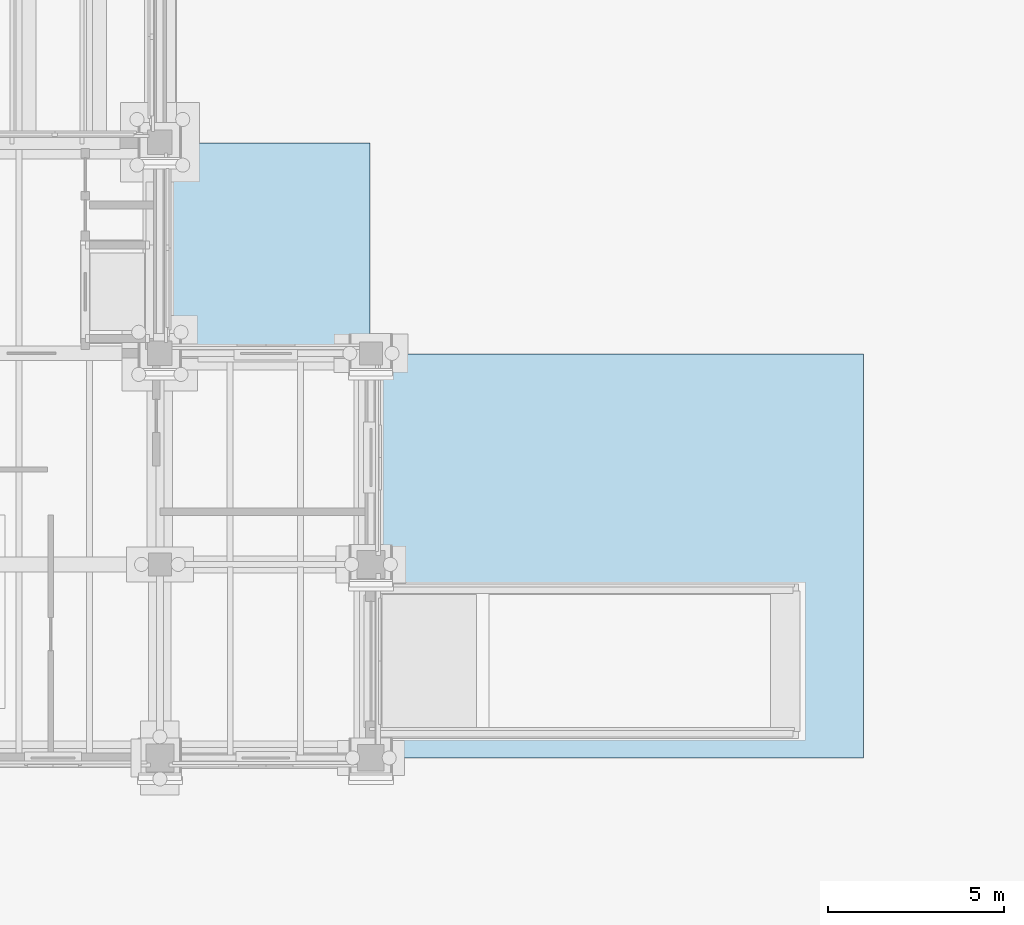
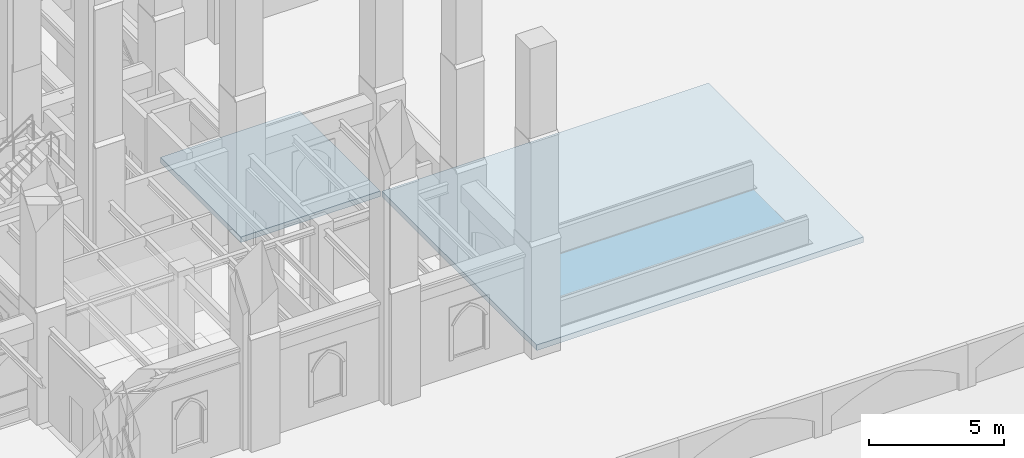
# One storey, part 56 of 135: 2 slabs.
"""IFC4 building model written with IfcOpenShell, lengths in metres."""

import ifcopenshell
import ifcopenshell.guid

model = None  # the IFC model being written
_history = None  # IfcOwnerHistory: only IFC2X3 demands one
_inside = {}  # id of a spatial element -> (the spatial element, [elements in it])
_under = {}  # id of a project, library or spatial element -> (it, [spatial elements below it])
_declared = {}  # id of a project -> (the project, [libraries it declares])
_typed = {}  # id of a type object -> (the type object, [elements of that type])
_made_of = {}  # id of a material, layer set ... -> (it, [elements and type objects made of it])


def new_model(schema):
    """Start an empty IFC model of exactly this schema.

    Asked for "IFC4X3", IfcOpenShell would pick the latest addendum, in which some entities
    have other attributes; the version numbers below select the first issue.
    IFC2X3 requires an IfcOwnerHistory on every rooted entity: one is made here for all.
    """
    global model, _history
    if schema == "IFC4X3":
        model = ifcopenshell.file(schema_version=(4, 3, 0, 0))
    else:
        model = ifcopenshell.file(schema=schema)
    _inside.clear()
    _under.clear()
    _declared.clear()
    _typed.clear()
    _made_of.clear()
    _history = None
    if model.schema == "IFC2X3":
        org = make("IfcOrganization", Name="unknown")
        user = make(
            "IfcPersonAndOrganization",
            ThePerson=make("IfcPerson", FamilyName="unknown"),
            TheOrganization=org,
        )
        app = make(
            "IfcApplication",
            ApplicationDeveloper=org,
            Version="unknown",
            ApplicationFullName="unknown",
            ApplicationIdentifier="unknown",
        )
        _history = make(
            "IfcOwnerHistory",
            OwningUser=user,
            OwningApplication=app,
            ChangeAction="ADDED",
            CreationDate=0,
        )
    return model


def make(cls, **values):
    """One entity of the class cls with the attributes given. An attribute that is None is left unset."""
    return model.create_entity(
        cls, **{name: value for name, value in values.items() if value is not None}
    )


def rooted(cls, **values):
    """An entity with a GlobalId (a new one), such as an element, a storey or a relation."""
    return make(cls, GlobalId=ifcopenshell.guid.new(), OwnerHistory=_history, **values)


def si_unit(unit_type, name, prefix=None):
    """IfcSIUnit, for example si_unit("LENGTHUNIT", "METRE", prefix="MILLI")."""
    return make("IfcSIUnit", UnitType=unit_type, Prefix=prefix, Name=name)


def assignment(units):
    """IfcUnitAssignment: the units of a project."""
    return None if units is None else make("IfcUnitAssignment", Units=units)


def point(xyz):
    """IfcCartesianPoint."""
    return None if xyz is None else make("IfcCartesianPoint", Coordinates=xyz)


def direction(xyz):
    """IfcDirection."""
    return None if xyz is None else make("IfcDirection", DirectionRatios=xyz)


def frame(location, z_axis=None, x_axis=None):
    """IfcAxis2Placement3D, a coordinate frame: its origin and axes. An axis left out is left unset."""
    return make(
        "IfcAxis2Placement3D",
        Location=point(location),
        Axis=direction(z_axis),
        RefDirection=direction(x_axis),
    )


def origin():
    """The frame at (0, 0, 0) with its axes left unset."""
    return frame((0.0, 0.0, 0.0))


def place(relative_to, where):
    """IfcLocalPlacement: puts the frame where relative to a parent placement (None: the world)."""
    return make(
        "IfcLocalPlacement", PlacementRelTo=relative_to, RelativePlacement=where
    )


def context(
    kind, dimensions, precision=None, world=None, true_north=None, identifier=None
):
    """IfcGeometricRepresentationContext, for example the 3D "Model" context."""
    return make(
        "IfcGeometricRepresentationContext",
        ContextIdentifier=identifier,
        ContextType=kind,
        CoordinateSpaceDimension=dimensions,
        Precision=precision,
        WorldCoordinateSystem=world,
        TrueNorth=true_north,
    )


def subcontext(parent, identifier, kind, view, scale=None):
    """IfcGeometricRepresentationSubContext, for example "Body" below "Model"."""
    return make(
        "IfcGeometricRepresentationSubContext",
        ContextIdentifier=identifier,
        ContextType=kind,
        ParentContext=parent,
        TargetScale=scale,
        TargetView=view,
    )


def project(units=None, contexts=None):
    """IfcProject with its units and contexts."""
    return rooted(
        "IfcProject",
        Name="project",
        RepresentationContexts=contexts,
        UnitsInContext=assignment(units),
    )


def spatial(cls, under=None, at=None, **own):
    """A site, building, storey or space (cls), placed at a placement, below another one or the project."""
    s = rooted(cls, ObjectPlacement=at, **own)
    if under is not None:
        _under.setdefault(under.id(), (under, []))[1].append(s)
    return s


def polyline(points):
    """IfcPolyline through the points."""
    return make("IfcPolyline", Points=[point(p) for p in points])


def outline(outer, holes=None, kind="AREA"):
    """IfcArbitraryClosedProfileDef: a profile drawn as a closed curve; with holes, ...WithVoids."""
    if holes is None:
        return make("IfcArbitraryClosedProfileDef", ProfileType=kind, OuterCurve=outer)
    return make(
        "IfcArbitraryProfileDefWithVoids",
        ProfileType=kind,
        OuterCurve=outer,
        InnerCurves=holes,
    )


def extrude(swept, where, along, depth):
    """IfcExtrudedAreaSolid: the profile swept, set in the frame where, extruded along a direction by depth."""
    return make(
        "IfcExtrudedAreaSolid",
        SweptArea=swept,
        Position=where,
        ExtrudedDirection=direction(along),
        Depth=depth,
    )


def shape(context_of_items, identifier, shape_type, items):
    """IfcShapeRepresentation: the items that make up one representation, for example the "Body"."""
    return make(
        "IfcShapeRepresentation",
        ContextOfItems=context_of_items,
        RepresentationIdentifier=identifier,
        RepresentationType=shape_type,
        Items=items,
    )


def material(Name=None, Category=None):
    """IfcMaterial."""
    return make("IfcMaterial", Name=Name, Category=Category)


def layer(
    of_material, thickness, ventilated=None, Name=None, Category=None, Priority=None
):
    """IfcMaterialLayer: one layer of a wall or slab, of a material (None: an air gap)."""
    return make(
        "IfcMaterialLayer",
        Material=of_material,
        LayerThickness=thickness,
        IsVentilated=ventilated,
        Name=Name,
        Category=Category,
        Priority=Priority,
    )


def layer_set(layers, Name=None):
    """IfcMaterialLayerSet."""
    return make("IfcMaterialLayerSet", MaterialLayers=layers, LayerSetName=Name)


def made_of(thing, what):
    """Note that an element or type object is made of a material, layer set ...; save() writes the relation."""
    if what is not None:
        _made_of.setdefault(what.id(), (what, []))[1].append(thing)
    return thing


def type_object(cls, material=None, **own):
    """A type object (cls), such as IfcWallType, which elements share."""
    return made_of(rooted(cls, **own), material)


def element(
    cls,
    number,
    at=None,
    inside=None,
    cuts=None,
    type_object=None,
    material=None,
    context=None,
    identifier="Body",
    shape_type=None,
    held_by="IfcProductDefinitionShape",
    body=None,
    shapes=None,
    **own,
):
    """One element of the class cls, such as IfcWall. Its Tag is "e" and its number.

    at: its placement. inside: the storey or other place that contains it. cuts: it is an
    opening in that element (IfcRelVoidsElement). A single representation is given by context,
    identifier, shape_type and body (its items); several are given by shapes. held_by: the class
    of the entity that holds the representations. save() writes the other relations.
    """
    e = rooted(cls, Tag="e%d" % number, ObjectPlacement=at, **own)
    if body is not None:
        shapes = [shape(context, identifier, shape_type, body)]
    if shapes is not None:
        e.Representation = make(held_by, Representations=shapes)
    if inside is not None:
        _inside.setdefault(inside.id(), (inside, []))[1].append(e)
    if cuts is not None:
        rooted(
            "IfcRelVoidsElement", RelatingBuildingElement=cuts, RelatedOpeningElement=e
        )
    if type_object is not None:
        _typed.setdefault(type_object.id(), (type_object, []))[1].append(e)
    return made_of(e, material)


def aggregate(whole, parts):
    """IfcRelAggregates: a whole, such as a stair, and the parts it consists of."""
    return rooted("IfcRelAggregates", RelatingObject=whole, RelatedObjects=parts)


def save(model, path):
    """Write the relations noted so far, then the file.

    IfcRelAggregates (storeys below a building ...), IfcRelContainedInSpatialStructure (elements
    in a storey), IfcRelDefinesByType, IfcRelAssociatesMaterial and IfcRelDeclares: one each for
    every whole, place, type object, material and project.
    """
    for whole, parts in _under.values():
        aggregate(whole, parts)
    for where, things in _inside.values():
        rooted(
            "IfcRelContainedInSpatialStructure",
            RelatedElements=things,
            RelatingStructure=where,
        )
    for kind, things in _typed.values():
        rooted("IfcRelDefinesByType", RelatedObjects=things, RelatingType=kind)
    for what, things in _made_of.values():
        rooted("IfcRelAssociatesMaterial", RelatedObjects=things, RelatingMaterial=what)
    for by, libraries in _declared.values():
        rooted("IfcRelDeclares", RelatingContext=by, RelatedDefinitions=libraries)
    model.write(path)


model = new_model("IFC4")

# Units and contexts
model_context = context("Model", 3, precision=1e-05, world=origin(), true_north=direction((0.0, 1.0)))
body_context = subcontext(model_context, "Body", "Model", "MODEL_VIEW")
ifc_project = project(units=[si_unit("LENGTHUNIT", "METRE"), si_unit("AREAUNIT", "SQUARE_METRE"), si_unit("VOLUMEUNIT", "CUBIC_METRE"), si_unit("PLANEANGLEUNIT", "RADIAN"), si_unit("MASSUNIT", "GRAM", prefix="KILO")], contexts=[model_context])

# Site, building, storey
site_placement = place(None, origin())
site = spatial("IfcSite", under=ifc_project, at=site_placement, CompositionType="ELEMENT")
building_placement = place(site_placement, origin())
building = spatial("IfcBuilding", under=site, at=building_placement, Name="Cumevento Cable Car Station", CompositionType="ELEMENT")
storey_placement = place(building_placement, origin())
storey = spatial("IfcBuildingStorey", under=building, at=storey_placement, Name="L01", CompositionType="ELEMENT", Elevation=0.0)

# Slabs
ifc_material = material(Name="Concrete C40/50", Category="concrete")
ifc_layer = layer(ifc_material, 0.25)
ifc_layer_set = layer_set([ifc_layer], Name="Concrete C40/50")
slab_type = type_object("IfcSlabType", Name="Exterior Apron Slab AP-250", PredefinedType="BASESLAB", material=ifc_layer_set)
slab_1_placement = place(storey_placement, frame((0.0, 0.0, -0.25)))
element("IfcSlab", 1, at=slab_1_placement, inside=storey, type_object=slab_type, Name="Exterior Paved Apron apron_E_service #1", PredefinedType="BASESLAB", context=body_context, shape_type="SweptSolid", body=[
    extrude(outline(polyline([(136.02001953125, 9.5), (136.02001953125, 20.97998046875), (150.0, 20.97998046875), (150.0, 9.5), (136.02001953125, 9.5)])), origin(), (0.0, 0.0, 1.0), 0.25),
])
slab_2_placement = place(storey_placement, frame((0.0, 0.0, -0.25)))
element("IfcSlab", 2, at=slab_2_placement, inside=storey, type_object=slab_type, Name="Exterior Paved Apron apron_E_north #1", PredefinedType="BASESLAB", context=body_context, shape_type="SweptSolid", body=[
    extrude(outline(polyline([(130.02001953125, 21.02001953125), (130.02001953125, 26.97998046875), (135.97998046875, 26.97998046875), (135.97998046875, 21.02001953125), (130.02001953125, 21.02001953125)])), origin(), (0.0, 0.0, 1.0), 0.25),
])

save(model, "model.ifc")
